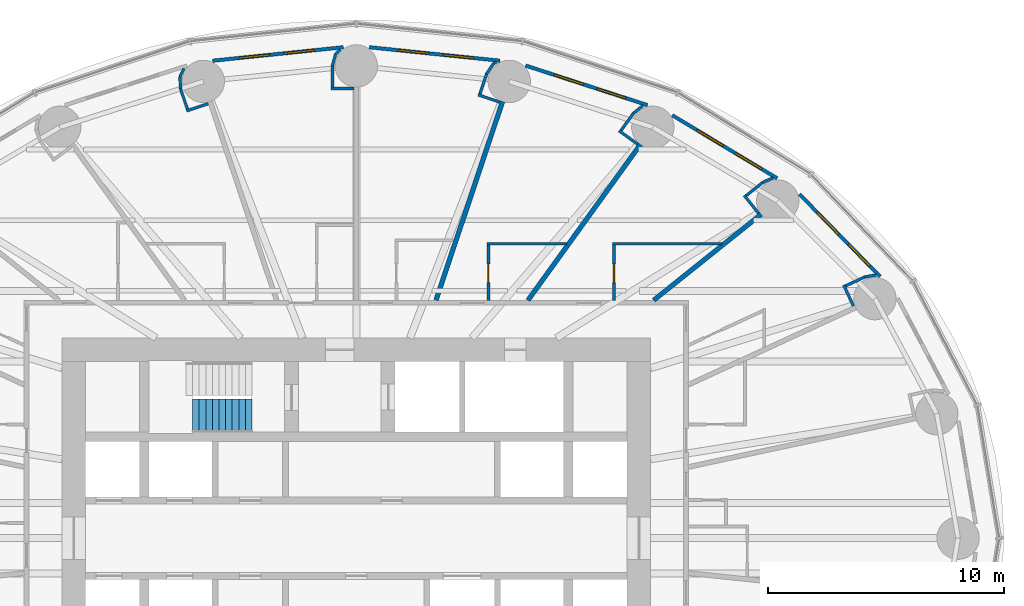
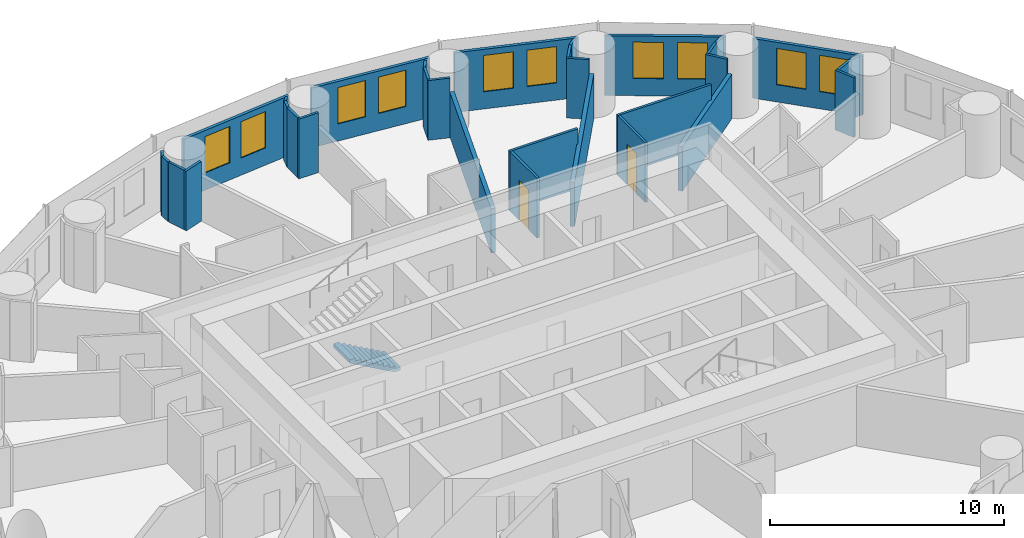
# One storey, part 11 of 13: 33 walls, 10 windows, 2 doors, 1 stair flight, 12 openings, 1 element without a shape of its own.
"""IFC4 building model written with IfcOpenShell, lengths in metres."""

import ifcopenshell
import ifcopenshell.guid

model = None  # the IFC model being written
_history = None  # IfcOwnerHistory: only IFC2X3 demands one
_inside = {}  # id of a spatial element -> (the spatial element, [elements in it])
_under = {}  # id of a project, library or spatial element -> (it, [spatial elements below it])
_declared = {}  # id of a project -> (the project, [libraries it declares])
_typed = {}  # id of a type object -> (the type object, [elements of that type])
_made_of = {}  # id of a material, layer set ... -> (it, [elements and type objects made of it])


def new_model(schema):
    """Start an empty IFC model of exactly this schema.

    Asked for "IFC4X3", IfcOpenShell would pick the latest addendum, in which some entities
    have other attributes; the version numbers below select the first issue.
    IFC2X3 requires an IfcOwnerHistory on every rooted entity: one is made here for all.
    """
    global model, _history
    if schema == "IFC4X3":
        model = ifcopenshell.file(schema_version=(4, 3, 0, 0))
    else:
        model = ifcopenshell.file(schema=schema)
    _inside.clear()
    _under.clear()
    _declared.clear()
    _typed.clear()
    _made_of.clear()
    _history = None
    if model.schema == "IFC2X3":
        org = make("IfcOrganization", Name="unknown")
        user = make(
            "IfcPersonAndOrganization",
            ThePerson=make("IfcPerson", FamilyName="unknown"),
            TheOrganization=org,
        )
        app = make(
            "IfcApplication",
            ApplicationDeveloper=org,
            Version="unknown",
            ApplicationFullName="unknown",
            ApplicationIdentifier="unknown",
        )
        _history = make(
            "IfcOwnerHistory",
            OwningUser=user,
            OwningApplication=app,
            ChangeAction="ADDED",
            CreationDate=0,
        )
    return model


def make(cls, **values):
    """One entity of the class cls with the attributes given. An attribute that is None is left unset."""
    return model.create_entity(
        cls, **{name: value for name, value in values.items() if value is not None}
    )


def rooted(cls, **values):
    """An entity with a GlobalId (a new one), such as an element, a storey or a relation."""
    return make(cls, GlobalId=ifcopenshell.guid.new(), OwnerHistory=_history, **values)


def si_unit(unit_type, name, prefix=None):
    """IfcSIUnit, for example si_unit("LENGTHUNIT", "METRE", prefix="MILLI")."""
    return make("IfcSIUnit", UnitType=unit_type, Prefix=prefix, Name=name)


def assignment(units):
    """IfcUnitAssignment: the units of a project."""
    return None if units is None else make("IfcUnitAssignment", Units=units)


def point(xyz):
    """IfcCartesianPoint."""
    return None if xyz is None else make("IfcCartesianPoint", Coordinates=xyz)


def direction(xyz):
    """IfcDirection."""
    return None if xyz is None else make("IfcDirection", DirectionRatios=xyz)


def frame(location, z_axis=None, x_axis=None):
    """IfcAxis2Placement3D, a coordinate frame: its origin and axes. An axis left out is left unset."""
    return make(
        "IfcAxis2Placement3D",
        Location=point(location),
        Axis=direction(z_axis),
        RefDirection=direction(x_axis),
    )


def frame_2d(location, x_axis=None):
    """IfcAxis2Placement2D, a coordinate frame in the plane: its origin and x axis."""
    return make(
        "IfcAxis2Placement2D", Location=point(location), RefDirection=direction(x_axis)
    )


def origin():
    """The frame at (0, 0, 0) with its axes left unset."""
    return frame((0.0, 0.0, 0.0))


def place(relative_to, where):
    """IfcLocalPlacement: puts the frame where relative to a parent placement (None: the world)."""
    return make(
        "IfcLocalPlacement", PlacementRelTo=relative_to, RelativePlacement=where
    )


def context(
    kind, dimensions, precision=None, world=None, true_north=None, identifier=None
):
    """IfcGeometricRepresentationContext, for example the 3D "Model" context."""
    return make(
        "IfcGeometricRepresentationContext",
        ContextIdentifier=identifier,
        ContextType=kind,
        CoordinateSpaceDimension=dimensions,
        Precision=precision,
        WorldCoordinateSystem=world,
        TrueNorth=true_north,
    )


def subcontext(parent, identifier, kind, view, scale=None):
    """IfcGeometricRepresentationSubContext, for example "Body" below "Model"."""
    return make(
        "IfcGeometricRepresentationSubContext",
        ContextIdentifier=identifier,
        ContextType=kind,
        ParentContext=parent,
        TargetScale=scale,
        TargetView=view,
    )


def project(units=None, contexts=None):
    """IfcProject with its units and contexts."""
    return rooted(
        "IfcProject",
        Name="project",
        RepresentationContexts=contexts,
        UnitsInContext=assignment(units),
    )


def spatial(cls, under=None, at=None, **own):
    """A site, building, storey or space (cls), placed at a placement, below another one or the project."""
    s = rooted(cls, ObjectPlacement=at, **own)
    if under is not None:
        _under.setdefault(under.id(), (under, []))[1].append(s)
    return s


def polyline(points):
    """IfcPolyline through the points."""
    return make("IfcPolyline", Points=[point(p) for p in points])


def profile(cls, at=None, kind="AREA", **sizes):
    """A parametric profile (cls). Its sizes go by their IFC names, for example OverallWidth=200.0."""
    return make(cls, ProfileType=kind, Position=at, **sizes)


def rectangle(**sizes):
    """IfcRectangleProfileDef."""
    return profile("IfcRectangleProfileDef", **sizes)


def outline(outer, holes=None, kind="AREA"):
    """IfcArbitraryClosedProfileDef: a profile drawn as a closed curve; with holes, ...WithVoids."""
    if holes is None:
        return make("IfcArbitraryClosedProfileDef", ProfileType=kind, OuterCurve=outer)
    return make(
        "IfcArbitraryProfileDefWithVoids",
        ProfileType=kind,
        OuterCurve=outer,
        InnerCurves=holes,
    )


def extrude(swept, where, along, depth):
    """IfcExtrudedAreaSolid: the profile swept, set in the frame where, extruded along a direction by depth."""
    return make(
        "IfcExtrudedAreaSolid",
        SweptArea=swept,
        Position=where,
        ExtrudedDirection=direction(along),
        Depth=depth,
    )


def shape(context_of_items, identifier, shape_type, items):
    """IfcShapeRepresentation: the items that make up one representation, for example the "Body"."""
    return make(
        "IfcShapeRepresentation",
        ContextOfItems=context_of_items,
        RepresentationIdentifier=identifier,
        RepresentationType=shape_type,
        Items=items,
    )


def material(Name=None, Category=None):
    """IfcMaterial."""
    return make("IfcMaterial", Name=Name, Category=Category)


def layer(
    of_material, thickness, ventilated=None, Name=None, Category=None, Priority=None
):
    """IfcMaterialLayer: one layer of a wall or slab, of a material (None: an air gap)."""
    return make(
        "IfcMaterialLayer",
        Material=of_material,
        LayerThickness=thickness,
        IsVentilated=ventilated,
        Name=Name,
        Category=Category,
        Priority=Priority,
    )


def layer_set(layers, Name=None):
    """IfcMaterialLayerSet."""
    return make("IfcMaterialLayerSet", MaterialLayers=layers, LayerSetName=Name)


def made_of(thing, what):
    """Note that an element or type object is made of a material, layer set ...; save() writes the relation."""
    if what is not None:
        _made_of.setdefault(what.id(), (what, []))[1].append(thing)
    return thing


def type_object(cls, material=None, **own):
    """A type object (cls), such as IfcWallType, which elements share."""
    return made_of(rooted(cls, **own), material)


def element(
    cls,
    number,
    at=None,
    inside=None,
    cuts=None,
    type_object=None,
    material=None,
    context=None,
    identifier="Body",
    shape_type=None,
    held_by="IfcProductDefinitionShape",
    body=None,
    shapes=None,
    **own,
):
    """One element of the class cls, such as IfcWall. Its Tag is "e" and its number.

    at: its placement. inside: the storey or other place that contains it. cuts: it is an
    opening in that element (IfcRelVoidsElement). A single representation is given by context,
    identifier, shape_type and body (its items); several are given by shapes. held_by: the class
    of the entity that holds the representations. save() writes the other relations.
    """
    e = rooted(cls, Tag="e%d" % number, ObjectPlacement=at, **own)
    if body is not None:
        shapes = [shape(context, identifier, shape_type, body)]
    if shapes is not None:
        e.Representation = make(held_by, Representations=shapes)
    if inside is not None:
        _inside.setdefault(inside.id(), (inside, []))[1].append(e)
    if cuts is not None:
        rooted(
            "IfcRelVoidsElement", RelatingBuildingElement=cuts, RelatedOpeningElement=e
        )
    if type_object is not None:
        _typed.setdefault(type_object.id(), (type_object, []))[1].append(e)
    return made_of(e, material)


def fill(opening, filler):
    """IfcRelFillsElement: the door or window that sits in an opening."""
    return rooted(
        "IfcRelFillsElement",
        RelatingOpeningElement=opening,
        RelatedBuildingElement=filler,
    )


def aggregate(whole, parts):
    """IfcRelAggregates: a whole, such as a stair, and the parts it consists of."""
    return rooted("IfcRelAggregates", RelatingObject=whole, RelatedObjects=parts)


def save(model, path):
    """Write the relations noted so far, then the file.

    IfcRelAggregates (storeys below a building ...), IfcRelContainedInSpatialStructure (elements
    in a storey), IfcRelDefinesByType, IfcRelAssociatesMaterial and IfcRelDeclares: one each for
    every whole, place, type object, material and project.
    """
    for whole, parts in _under.values():
        aggregate(whole, parts)
    for where, things in _inside.values():
        rooted(
            "IfcRelContainedInSpatialStructure",
            RelatedElements=things,
            RelatingStructure=where,
        )
    for kind, things in _typed.values():
        rooted("IfcRelDefinesByType", RelatedObjects=things, RelatingType=kind)
    for what, things in _made_of.values():
        rooted("IfcRelAssociatesMaterial", RelatedObjects=things, RelatingMaterial=what)
    for by, libraries in _declared.values():
        rooted("IfcRelDeclares", RelatingContext=by, RelatedDefinitions=libraries)
    model.write(path)


model = new_model("IFC4")

# Units and contexts
model_context = context("Model", 3, precision=1e-05, world=origin(), true_north=direction((0.0, 1.0)))
body_context = subcontext(model_context, "Body", "Model", "MODEL_VIEW")
ifc_project = project(units=[si_unit("LENGTHUNIT", "METRE"), si_unit("AREAUNIT", "SQUARE_METRE"), si_unit("VOLUMEUNIT", "CUBIC_METRE"), si_unit("PLANEANGLEUNIT", "RADIAN"), si_unit("MASSUNIT", "GRAM", prefix="KILO")], contexts=[model_context])

# Site, building, storey
site_placement = place(None, origin())
site = spatial("IfcSite", under=ifc_project, at=site_placement, CompositionType="ELEMENT")
building_placement = place(site_placement, origin())
building = spatial("IfcBuilding", under=site, at=building_placement, Name="Hankou Lantern Tower", CompositionType="ELEMENT")
storey_placement = place(building_placement, frame((0.0, 0.0, 39.300048828125)))
storey = spatial("IfcBuildingStorey", under=building, at=storey_placement, Name="L08", CompositionType="ELEMENT", Elevation=39.300048828125)

# Wall, openings, windows
ifc_material_1 = material(Name="Aluminium spandrel panel on steel studs", Category="steel")
ifc_layer_1 = layer(ifc_material_1, 0.14990234375)
ifc_layer_set_1 = layer_set([ifc_layer_1], Name="Aluminium spandrel panel on steel studs")
wall_type_1 = type_object("IfcWallType", Name="EW1 INNER SKIN WALL 150", PredefinedType="ELEMENTEDWALL", material=ifc_layer_set_1)
wall_1_placement = place(storey_placement, frame((22.23876953125, 11.1083984375, 0.0), z_axis=(0.0, 0.0, 1.0), x_axis=(-0.699612594083, 0.714522370679, 0.0)))
wall_1 = element("IfcWall", 1, at=wall_1_placement, inside=storey, type_object=wall_type_1, Name="Inner skin R03-R04 L08", PredefinedType="ELEMENTEDWALL", context=body_context, shape_type="SweptSolid", body=[
    extrude(rectangle(XDim=4.89599609375, YDim=0.14990234375, at=frame_2d((2.447998046875, 0.0))), origin(), (0.0, 0.0, 1.0), 3.119873046875),
])
opening_1_placement = place(wall_1_placement, frame((0.619140625, 0.0, 0.89990234375)))
opening_1 = element("IfcOpeningElement", 2, at=opening_1_placement, cuts=wall_1, Name="Opening W9", PredefinedType="OPENING", context=body_context, shape_type="SweptSolid", body=[
    extrude(rectangle(XDim=1.300048828125, YDim=1.89990234375, at=frame_2d((0.64990234375, 0.949951171875))), frame((0.0, 0.0849609375, 0.0), z_axis=(0.0, -1.0, 0.0), x_axis=(1.0, 0.0, 0.0)), (0.0, 0.0, 1.0), 0.169921875),
])
opening_2_placement = place(wall_1_placement, frame((2.51904296875, 0.0, 0.89990234375)))
opening_2 = element("IfcOpeningElement", 3, at=opening_2_placement, cuts=wall_1, Name="Opening W9", PredefinedType="OPENING", context=body_context, shape_type="SweptSolid", body=[
    extrude(rectangle(XDim=1.300048828125, YDim=1.89990234375, at=frame_2d((0.64990234375, 0.949951171875))), frame((0.0, 0.0849609375, 0.0), z_axis=(0.0, -1.0, 0.0), x_axis=(1.0, 0.0, 0.0)), (0.0, 0.0, 1.0), 0.169921875),
])
ifc_material_2 = material(Name="Aluminium framed double glazed window", Category="aluminium")
window_type = type_object("IfcWindowType", Name="W9 GUEST ROOM WINDOW 1300X1900", PartitioningType="DOUBLE_PANEL_VERTICAL", PredefinedType="WINDOW", material=ifc_material_2)
window_1_placement = place(opening_1_placement, origin())
window_1 = element("IfcWindow", 4, at=window_1_placement, inside=storey, type_object=window_type, Name="Window R03.1 L08", OverallHeight=1.89990234375, OverallWidth=1.300048828125, PartitioningType="SINGLE_PANEL", PredefinedType="WINDOW", context=body_context, shape_type="SweptSolid", body=[
    extrude(rectangle(XDim=1.300048828125, YDim=1.89990234375, at=frame_2d((0.64990234375, 0.949951171875))), frame((0.0, 0.030029296875, 0.0), z_axis=(0.0, -1.0, 0.0), x_axis=(1.0, 0.0, 0.0)), (0.0, 0.0, 1.0), 0.06005859375),
])
fill(opening_1, window_1)
window_2_placement = place(opening_2_placement, origin())
window_2 = element("IfcWindow", 5, at=window_2_placement, inside=storey, type_object=window_type, Name="Window R03.2 L08", OverallHeight=1.89990234375, OverallWidth=1.300048828125, PartitioningType="SINGLE_PANEL", PredefinedType="WINDOW", context=body_context, shape_type="SweptSolid", body=[
    extrude(rectangle(XDim=1.300048828125, YDim=1.89990234375, at=frame_2d((0.64990234375, 0.949951171875))), frame((0.0, 0.030029296875, 0.0), z_axis=(0.0, -1.0, 0.0), x_axis=(1.0, 0.0, 0.0)), (0.0, 0.0, 1.0), 0.06005859375),
])
fill(opening_2, window_2)

wall_2_placement = place(storey_placement, frame((17.869384765625, 15.276611328125, 0.0), z_axis=(0.0, 0.0, 1.0), x_axis=(-0.856958191554, 0.515385931054, 0.0)))
wall_2 = element("IfcWall", 6, at=wall_2_placement, inside=storey, type_object=wall_type_1, Name="Inner skin R04-R05 L08", PredefinedType="ELEMENTEDWALL", context=body_context, shape_type="SweptSolid", body=[
    extrude(rectangle(XDim=5.201171875, YDim=0.14990234375, at=frame_2d((2.6005859375, 0.0))), origin(), (0.0, 0.0, 1.0), 3.119873046875),
])
opening_3_placement = place(wall_2_placement, frame((0.7763671875, 0.0, 0.89990234375)))
opening_3 = element("IfcOpeningElement", 7, at=opening_3_placement, cuts=wall_2, Name="Opening W9", PredefinedType="OPENING", context=body_context, shape_type="SweptSolid", body=[
    extrude(rectangle(XDim=1.300048828125, YDim=1.89990234375, at=frame_2d((0.64990234375, 0.949951171875))), frame((0.0, 0.0849609375, 0.0), z_axis=(0.0, -1.0, 0.0), x_axis=(1.0, 0.0, 0.0)), (0.0, 0.0, 1.0), 0.169921875),
])
opening_4_placement = place(wall_2_placement, frame((2.67626953125, 0.0, 0.89990234375)))
opening_4 = element("IfcOpeningElement", 8, at=opening_4_placement, cuts=wall_2, Name="Opening W9", PredefinedType="OPENING", context=body_context, shape_type="SweptSolid", body=[
    extrude(rectangle(XDim=1.300048828125, YDim=1.89990234375, at=frame_2d((0.64990234375, 0.949951171875))), frame((0.0, 0.0849609375, 0.0), z_axis=(0.0, -1.0, 0.0), x_axis=(1.0, 0.0, 0.0)), (0.0, 0.0, 1.0), 0.169921875),
])
window_3_placement = place(opening_3_placement, origin())
window_3 = element("IfcWindow", 9, at=window_3_placement, inside=storey, type_object=window_type, Name="Window R04.1 L08", OverallHeight=1.89990234375, OverallWidth=1.300048828125, PartitioningType="SINGLE_PANEL", PredefinedType="WINDOW", context=body_context, shape_type="SweptSolid", body=[
    extrude(rectangle(XDim=1.300048828125, YDim=1.89990234375, at=frame_2d((0.64990234375, 0.949951171875))), frame((0.0, 0.030029296875, 0.0), z_axis=(0.0, -1.0, 0.0), x_axis=(1.0, 0.0, 0.0)), (0.0, 0.0, 1.0), 0.06005859375),
])
fill(opening_3, window_3)
window_4_placement = place(opening_4_placement, origin())
window_4 = element("IfcWindow", 10, at=window_4_placement, inside=storey, type_object=window_type, Name="Window R04.2 L08", OverallHeight=1.89990234375, OverallWidth=1.300048828125, PartitioningType="SINGLE_PANEL", PredefinedType="WINDOW", context=body_context, shape_type="SweptSolid", body=[
    extrude(rectangle(XDim=1.300048828125, YDim=1.89990234375, at=frame_2d((0.64990234375, 0.949951171875))), frame((0.0, 0.030029296875, 0.0), z_axis=(0.0, -1.0, 0.0), x_axis=(1.0, 0.0, 0.0)), (0.0, 0.0, 1.0), 0.06005859375),
])
fill(opening_4, window_4)

wall_3_placement = place(storey_placement, frame((12.3662109375, 18.384033203125, 0.0), z_axis=(0.0, 0.0, 1.0), x_axis=(-0.951138486029, 0.308764603532, 0.0)))
wall_3 = element("IfcWall", 11, at=wall_3_placement, inside=storey, type_object=wall_type_1, Name="Inner skin R05-R06 L08", PredefinedType="ELEMENTEDWALL", context=body_context, shape_type="SweptSolid", body=[
    extrude(rectangle(XDim=5.444091796875, YDim=0.14990234375, at=frame_2d((2.72216796875, 0.0))), origin(), (0.0, 0.0, 1.0), 3.119873046875),
])
opening_5_placement = place(wall_3_placement, frame((0.959716796875, 0.0, 0.89990234375)))
opening_5 = element("IfcOpeningElement", 12, at=opening_5_placement, cuts=wall_3, Name="Opening W9", PredefinedType="OPENING", context=body_context, shape_type="SweptSolid", body=[
    extrude(rectangle(XDim=1.300048828125, YDim=1.89990234375, at=frame_2d((0.64990234375, 0.949951171875))), frame((0.0, 0.0849609375, 0.0), z_axis=(0.0, -1.0, 0.0), x_axis=(1.0, 0.0, 0.0)), (0.0, 0.0, 1.0), 0.169921875),
])
opening_6_placement = place(wall_3_placement, frame((2.85986328125, 0.0, 0.89990234375)))
opening_6 = element("IfcOpeningElement", 13, at=opening_6_placement, cuts=wall_3, Name="Opening W9", PredefinedType="OPENING", context=body_context, shape_type="SweptSolid", body=[
    extrude(rectangle(XDim=1.300048828125, YDim=1.89990234375, at=frame_2d((0.64990234375, 0.949951171875))), frame((0.0, 0.0849609375, 0.0), z_axis=(0.0, -1.0, 0.0), x_axis=(1.0, 0.0, 0.0)), (0.0, 0.0, 1.0), 0.169921875),
])
window_5_placement = place(opening_5_placement, origin())
window_5 = element("IfcWindow", 14, at=window_5_placement, inside=storey, type_object=window_type, Name="Window R05.1 L08", OverallHeight=1.89990234375, OverallWidth=1.300048828125, PartitioningType="SINGLE_PANEL", PredefinedType="WINDOW", context=body_context, shape_type="SweptSolid", body=[
    extrude(rectangle(XDim=1.300048828125, YDim=1.89990234375, at=frame_2d((0.64990234375, 0.949951171875))), frame((0.0, 0.030029296875, 0.0), z_axis=(0.0, -1.0, 0.0), x_axis=(1.0, 0.0, 0.0)), (0.0, 0.0, 1.0), 0.06005859375),
])
fill(opening_5, window_5)
window_6_placement = place(opening_6_placement, origin())
window_6 = element("IfcWindow", 15, at=window_6_placement, inside=storey, type_object=window_type, Name="Window R05.2 L08", OverallHeight=1.89990234375, OverallWidth=1.300048828125, PartitioningType="SINGLE_PANEL", PredefinedType="WINDOW", context=body_context, shape_type="SweptSolid", body=[
    extrude(rectangle(XDim=1.300048828125, YDim=1.89990234375, at=frame_2d((0.64990234375, 0.949951171875))), frame((0.0, 0.030029296875, 0.0), z_axis=(0.0, -1.0, 0.0), x_axis=(1.0, 0.0, 0.0)), (0.0, 0.0, 1.0), 0.06005859375),
])
fill(opening_6, window_6)

wall_4_placement = place(storey_placement, frame((6.09765625, 20.27099609375, 0.0), z_axis=(0.0, 0.0, 1.0), x_axis=(-0.994723735084, 0.102589915983, 0.0)))
wall_4 = element("IfcWall", 16, at=wall_4_placement, inside=storey, type_object=wall_type_1, Name="Inner skin R06-R07 L08", PredefinedType="ELEMENTEDWALL", context=body_context, shape_type="SweptSolid", body=[
    extrude(rectangle(XDim=5.575927734375, YDim=0.14990234375, at=frame_2d((2.7880859375, 0.0))), origin(), (0.0, 0.0, 1.0), 3.119873046875),
])
opening_7_placement = place(wall_4_placement, frame((1.128662109375, 0.0, 0.89990234375)))
opening_7 = element("IfcOpeningElement", 17, at=opening_7_placement, cuts=wall_4, Name="Opening W9", PredefinedType="OPENING", context=body_context, shape_type="SweptSolid", body=[
    extrude(rectangle(XDim=1.300048828125, YDim=1.89990234375, at=frame_2d((0.64990234375, 0.949951171875))), frame((0.0, 0.0849609375, 0.0), z_axis=(0.0, -1.0, 0.0), x_axis=(1.0, 0.0, 0.0)), (0.0, 0.0, 1.0), 0.169921875),
])
opening_8_placement = place(wall_4_placement, frame((3.02880859375, 0.0, 0.89990234375)))
opening_8 = element("IfcOpeningElement", 18, at=opening_8_placement, cuts=wall_4, Name="Opening W9", PredefinedType="OPENING", context=body_context, shape_type="SweptSolid", body=[
    extrude(rectangle(XDim=1.300048828125, YDim=1.89990234375, at=frame_2d((0.64990234375, 0.949951171875))), frame((0.0, 0.0849609375, 0.0), z_axis=(0.0, -1.0, 0.0), x_axis=(1.0, 0.0, 0.0)), (0.0, 0.0, 1.0), 0.169921875),
])
window_7_placement = place(opening_7_placement, origin())
window_7 = element("IfcWindow", 19, at=window_7_placement, inside=storey, type_object=window_type, Name="Window R06.1 L08", OverallHeight=1.89990234375, OverallWidth=1.300048828125, PartitioningType="SINGLE_PANEL", PredefinedType="WINDOW", context=body_context, shape_type="SweptSolid", body=[
    extrude(rectangle(XDim=1.300048828125, YDim=1.89990234375, at=frame_2d((0.64990234375, 0.949951171875))), frame((0.0, 0.030029296875, 0.0), z_axis=(0.0, -1.0, 0.0), x_axis=(1.0, 0.0, 0.0)), (0.0, 0.0, 1.0), 0.06005859375),
])
fill(opening_7, window_7)
window_8_placement = place(opening_8_placement, origin())
window_8 = element("IfcWindow", 20, at=window_8_placement, inside=storey, type_object=window_type, Name="Window R06.2 L08", OverallHeight=1.89990234375, OverallWidth=1.300048828125, PartitioningType="SINGLE_PANEL", PredefinedType="WINDOW", context=body_context, shape_type="SweptSolid", body=[
    extrude(rectangle(XDim=1.300048828125, YDim=1.89990234375, at=frame_2d((0.64990234375, 0.949951171875))), frame((0.0, 0.030029296875, 0.0), z_axis=(0.0, -1.0, 0.0), x_axis=(1.0, 0.0, 0.0)), (0.0, 0.0, 1.0), 0.06005859375),
])
fill(opening_8, window_8)

wall_5_placement = place(storey_placement, frame((-0.55126953125, 20.843017578125, 0.0), z_axis=(0.0, 0.0, 1.0), x_axis=(-0.994723735084, -0.102589915983, 0.0)))
wall_5 = element("IfcWall", 21, at=wall_5_placement, inside=storey, type_object=wall_type_1, Name="Inner skin R07-R08 L08", PredefinedType="ELEMENTEDWALL", context=body_context, shape_type="SweptSolid", body=[
    extrude(rectangle(XDim=5.575927734375, YDim=0.14990234375, at=frame_2d((2.7880859375, 0.0))), origin(), (0.0, 0.0, 1.0), 3.119873046875),
])
opening_9_placement = place(wall_5_placement, frame((1.246826171875, 0.0, 0.89990234375)))
opening_9 = element("IfcOpeningElement", 22, at=opening_9_placement, cuts=wall_5, Name="Opening W9", PredefinedType="OPENING", context=body_context, shape_type="SweptSolid", body=[
    extrude(rectangle(XDim=1.300048828125, YDim=1.89990234375, at=frame_2d((0.64990234375, 0.949951171875))), frame((0.0, 0.0849609375, 0.0), z_axis=(0.0, -1.0, 0.0), x_axis=(1.0, 0.0, 0.0)), (0.0, 0.0, 1.0), 0.169921875),
])
opening_10_placement = place(wall_5_placement, frame((3.146728515625, 0.0, 0.89990234375)))
opening_10 = element("IfcOpeningElement", 23, at=opening_10_placement, cuts=wall_5, Name="Opening W9", PredefinedType="OPENING", context=body_context, shape_type="SweptSolid", body=[
    extrude(rectangle(XDim=1.300048828125, YDim=1.89990234375, at=frame_2d((0.64990234375, 0.949951171875))), frame((0.0, 0.0849609375, 0.0), z_axis=(0.0, -1.0, 0.0), x_axis=(1.0, 0.0, 0.0)), (0.0, 0.0, 1.0), 0.169921875),
])
window_9_placement = place(opening_9_placement, origin())
window_9 = element("IfcWindow", 24, at=window_9_placement, inside=storey, type_object=window_type, Name="Window R07.1 L08", OverallHeight=1.89990234375, OverallWidth=1.300048828125, PartitioningType="SINGLE_PANEL", PredefinedType="WINDOW", context=body_context, shape_type="SweptSolid", body=[
    extrude(rectangle(XDim=1.300048828125, YDim=1.89990234375, at=frame_2d((0.64990234375, 0.949951171875))), frame((0.0, 0.030029296875, 0.0), z_axis=(0.0, -1.0, 0.0), x_axis=(1.0, 0.0, 0.0)), (0.0, 0.0, 1.0), 0.06005859375),
])
fill(opening_9, window_9)
window_10_placement = place(opening_10_placement, origin())
window_10 = element("IfcWindow", 25, at=window_10_placement, inside=storey, type_object=window_type, Name="Window R07.2 L08", OverallHeight=1.89990234375, OverallWidth=1.300048828125, PartitioningType="SINGLE_PANEL", PredefinedType="WINDOW", context=body_context, shape_type="SweptSolid", body=[
    extrude(rectangle(XDim=1.300048828125, YDim=1.89990234375, at=frame_2d((0.64990234375, 0.949951171875))), frame((0.0, 0.030029296875, 0.0), z_axis=(0.0, -1.0, 0.0), x_axis=(1.0, 0.0, 0.0)), (0.0, 0.0, 1.0), 0.06005859375),
])
fill(opening_10, window_10)

# Walls
ifc_material_3 = material(Name="Masonry lightweight concrete block", Category="masonry")
ifc_layer_2 = layer(ifc_material_3, 0.199951171875)
ifc_layer_set_2 = layer_set([ifc_layer_2], Name="Masonry lightweight concrete block")
wall_type_2 = type_object("IfcWallType", Name="IW1 GUEST ROOM PARTY WALL 200", PredefinedType="PARTITIONING", material=ifc_layer_set_2)
wall_6_placement = place(storey_placement, frame((12.625, 10.10009765625, 0.0), z_axis=(0.0, 0.0, 1.0), x_axis=(0.780872884676, 0.624689953479, 0.0)))
element("IfcWall", 26, at=wall_6_placement, inside=storey, type_object=wall_type_2, Name="Party wall R04", PredefinedType="PARTITIONING", context=body_context, shape_type="SweptSolid", body=[
    extrude(rectangle(XDim=5.8447265625, YDim=0.199951171875, at=frame_2d((2.92236328125, 0.0))), origin(), (0.0, 0.0, 1.0), 2.320068359375),
])
wall_7_placement = place(storey_placement, frame((7.2890625, 10.10009765625, 0.0), z_axis=(0.0, 0.0, 1.0), x_axis=(0.585216319319, 0.810877216108, 0.0)))
element("IfcWall", 27, at=wall_7_placement, inside=storey, type_object=wall_type_2, Name="Party wall R05", PredefinedType="PARTITIONING", context=body_context, shape_type="SweptSolid", body=[
    extrude(rectangle(XDim=8.15966796875, YDim=0.199951171875, at=frame_2d((4.079833984375, 0.0))), origin(), (0.0, 0.0, 1.0), 2.320068359375),
])
wall_8_placement = place(storey_placement, frame((3.3828125, 10.10009765625, 0.0), z_axis=(0.0, 0.0, 1.0), x_axis=(0.317593727596, 0.948226884344, 0.0)))
element("IfcWall", 28, at=wall_8_placement, inside=storey, type_object=wall_type_2, Name="Party wall R06", PredefinedType="PARTITIONING", context=body_context, shape_type="SweptSolid", body=[
    extrude(rectangle(XDim=8.898681640625, YDim=0.199951171875, at=frame_2d((4.44921875, 0.0))), origin(), (0.0, 0.0, 1.0), 2.320068359375),
])
ifc_material_4 = material(Name="Masonry lightweight concrete block", Category="masonry")
ifc_layer_3 = layer(ifc_material_4, 0.1201171875)
ifc_layer_set_3 = layer_set([ifc_layer_3], Name="Masonry lightweight concrete block")
wall_type_3 = type_object("IfcWallType", Name="IW3 BATHROOM WALL 120", PredefinedType="PARTITIONING", material=ifc_layer_set_3)
wall_9_placement = place(storey_placement, frame((15.52490234375, 12.5, 0.0), z_axis=(0.0, 0.0, 1.0), x_axis=(-1.0, 0.0, 0.0)))
element("IfcWall", 29, at=wall_9_placement, inside=storey, type_object=wall_type_3, Name="Box wall 0804 1", PredefinedType="PARTITIONING", context=body_context, shape_type="SweptSolid", body=[
    extrude(rectangle(XDim=4.639892578125, YDim=0.1201171875, at=frame_2d((2.31982421875, 0.0))), origin(), (0.0, 0.0, 1.0), 3.119873046875),
])

# Wall, opening, door
wall_10_placement = place(storey_placement, frame((10.945068359375, 10.10009765625, 0.0), z_axis=(0.0, 0.0, 1.0), x_axis=(0.0, 1.0, 0.0)))
wall_10 = element("IfcWall", 30, at=wall_10_placement, inside=storey, type_object=wall_type_3, Name="Box wall 0804 1", PredefinedType="PARTITIONING", context=body_context, shape_type="SweptSolid", body=[
    extrude(rectangle(XDim=2.33984375, YDim=0.1201171875, at=frame_2d((1.169921875, 0.0))), origin(), (0.0, 0.0, 1.0), 3.119873046875),
])
opening_11_placement = place(wall_10_placement, frame((0.75, 0.0, 0.0)))
opening_11 = element("IfcOpeningElement", 31, at=opening_11_placement, cuts=wall_10, Name="Opening D3", PredefinedType="OPENING", context=body_context, shape_type="SweptSolid", body=[
    extrude(rectangle(XDim=0.800048828125, YDim=2.10009765625, at=frame_2d((0.39990234375, 1.050048828125))), frame((0.0, 0.070068359375, 0.0), z_axis=(0.0, -1.0, 0.0), x_axis=(1.0, 0.0, 0.0)), (0.0, 0.0, 1.0), 0.14013671875),
])
ifc_material_5 = material(Name="Timber door leaf", Category="wood")
door_type = type_object("IfcDoorType", Name="D3 BATHROOM DOOR 800X2100", OperationType="SINGLE_SWING_LEFT", PredefinedType="DOOR", material=ifc_material_5)
door_1_placement = place(opening_11_placement, origin())
door_1 = element("IfcDoor", 32, at=door_1_placement, inside=storey, type_object=door_type, Name="En-suite bathroom 0804 door", OperationType="SINGLE_SWING_LEFT", OverallHeight=2.10009765625, OverallWidth=0.800048828125, PredefinedType="DOOR", context=body_context, shape_type="SweptSolid", body=[
    extrude(rectangle(XDim=0.800048828125, YDim=2.10009765625, at=frame_2d((0.39990234375, 1.050048828125))), frame((0.0, 0.02490234375, 0.0), z_axis=(0.0, -1.0, 0.0), x_axis=(1.0, 0.0, 0.0)), (0.0, 0.0, 1.0), 0.050048828125),
])
fill(opening_11, door_1)

# Wall
wall_11_placement = place(storey_placement, frame((8.921142578125, 12.5, 0.0), z_axis=(0.0, 0.0, 1.0), x_axis=(-1.0, 0.0, 0.0)))
element("IfcWall", 33, at=wall_11_placement, inside=storey, type_object=wall_type_3, Name="Box wall 0805 1", PredefinedType="PARTITIONING", context=body_context, shape_type="SweptSolid", body=[
    extrude(rectangle(XDim=3.3720703125, YDim=0.1201171875, at=frame_2d((1.68603515625, 0.0))), origin(), (0.0, 0.0, 1.0), 3.119873046875),
])

# Wall, opening, door
wall_12_placement = place(storey_placement, frame((5.609130859375, 10.10009765625, 0.0), z_axis=(0.0, 0.0, 1.0), x_axis=(0.0, 1.0, 0.0)))
wall_12 = element("IfcWall", 34, at=wall_12_placement, inside=storey, type_object=wall_type_3, Name="Box wall 0805 1", PredefinedType="PARTITIONING", context=body_context, shape_type="SweptSolid", body=[
    extrude(rectangle(XDim=2.33984375, YDim=0.1201171875, at=frame_2d((1.169921875, 0.0))), origin(), (0.0, 0.0, 1.0), 3.119873046875),
])
opening_12_placement = place(wall_12_placement, frame((0.75, 0.0, 0.0)))
opening_12 = element("IfcOpeningElement", 35, at=opening_12_placement, cuts=wall_12, Name="Opening D3", PredefinedType="OPENING", context=body_context, shape_type="SweptSolid", body=[
    extrude(rectangle(XDim=0.800048828125, YDim=2.10009765625, at=frame_2d((0.39990234375, 1.050048828125))), frame((0.0, 0.070068359375, 0.0), z_axis=(0.0, -1.0, 0.0), x_axis=(1.0, 0.0, 0.0)), (0.0, 0.0, 1.0), 0.14013671875),
])
door_2_placement = place(opening_12_placement, origin())
door_2 = element("IfcDoor", 36, at=door_2_placement, inside=storey, type_object=door_type, Name="En-suite bathroom 0805 door", OperationType="SINGLE_SWING_LEFT", OverallHeight=2.10009765625, OverallWidth=0.800048828125, PredefinedType="DOOR", context=body_context, shape_type="SweptSolid", body=[
    extrude(rectangle(XDim=0.800048828125, YDim=2.10009765625, at=frame_2d((0.39990234375, 1.050048828125))), frame((0.0, 0.02490234375, 0.0), z_axis=(0.0, -1.0, 0.0), x_axis=(1.0, 0.0, 0.0)), (0.0, 0.0, 1.0), 0.050048828125),
])
fill(opening_12, door_2)

# Walls
ifc_material_6 = material(Name="Masonry lightweight concrete block", Category="masonry")
ifc_layer_4 = layer(ifc_material_6, 0.1201171875)
ifc_layer_set_4 = layer_set([ifc_layer_4], Name="Masonry lightweight concrete block")
wall_type_4 = type_object("IfcWallType", Name="IW4 PARTITION 120", PredefinedType="PARTITIONING", material=ifc_layer_set_4)
wall_13_placement = place(storey_placement, frame((21.105712890625, 9.8583984375, 0.0), z_axis=(0.0, 0.0, 1.0), x_axis=(-0.419344098106, 0.907827366509, 0.0)))
element("IfcWall", 37, at=wall_13_placement, inside=storey, type_object=wall_type_4, Name="Column casing R03 return", PredefinedType="PARTITIONING", context=body_context, shape_type="SweptSolid", body=[
    extrude(rectangle(XDim=0.974609375, YDim=0.1201171875, at=frame_2d((0.4873046875, 0.0))), origin(), (0.0, 0.0, 1.0), 3.119873046875),
])
wall_14_placement = place(storey_placement, frame((20.776611328125, 10.7138671875, 0.0), z_axis=(0.0, 0.0, 1.0), x_axis=(0.907832324198, 0.419333365166, 0.0)))
element("IfcWall", 38, at=wall_14_placement, inside=storey, type_object=wall_type_4, Name="Column casing R03", PredefinedType="PARTITIONING", context=body_context, shape_type="SweptSolid", body=[
    extrude(rectangle(XDim=0.900146484375, YDim=0.1201171875, at=frame_2d((0.4501953125, 0.0))), origin(), (0.0, 0.0, 1.0), 3.119873046875),
])
wall_15_placement = place(storey_placement, frame((21.59375, 11.09130859375, 0.0), z_axis=(0.0, 0.0, 1.0), x_axis=(0.985483306792, 0.169772353566, 0.0)))
element("IfcWall", 39, at=wall_15_placement, inside=storey, type_object=wall_type_4, Name="Column casing R03", PredefinedType="PARTITIONING", context=body_context, shape_type="SweptSolid", body=[
    extrude(rectangle(XDim=0.486083984375, YDim=0.1201171875, at=frame_2d((0.2431640625, 0.0))), origin(), (0.0, 0.0, 1.0), 3.119873046875),
])
wall_16_placement = place(storey_placement, frame((17.07958984375, 13.791748046875, 0.0), z_axis=(0.0, 0.0, 1.0), x_axis=(-0.624756144097, 0.780819928289, 0.0)))
element("IfcWall", 40, at=wall_16_placement, inside=storey, type_object=wall_type_4, Name="Column casing R04 return", PredefinedType="PARTITIONING", context=body_context, shape_type="SweptSolid", body=[
    extrude(rectangle(XDim=0.974609375, YDim=0.1201171875, at=frame_2d((0.4873046875, 0.0))), origin(), (0.0, 0.0, 1.0), 3.119873046875),
])
wall_17_placement = place(storey_placement, frame((16.55517578125, 14.54345703125, 0.0), z_axis=(0.0, 0.0, 1.0), x_axis=(0.780789399477, 0.62479429708, 0.0)))
element("IfcWall", 41, at=wall_17_placement, inside=storey, type_object=wall_type_4, Name="Column casing R04", PredefinedType="PARTITIONING", context=body_context, shape_type="SweptSolid", body=[
    extrude(rectangle(XDim=0.89990234375, YDim=0.1201171875, at=frame_2d((0.449951171875, 0.0))), origin(), (0.0, 0.0, 1.0), 3.119873046875),
])
wall_18_placement = place(storey_placement, frame((17.2578125, 15.105712890625, 0.0), z_axis=(0.0, 0.0, 1.0), x_axis=(0.916098562583, 0.400953143937, 0.0)))
element("IfcWall", 42, at=wall_18_placement, inside=storey, type_object=wall_type_4, Name="Column casing R04", PredefinedType="PARTITIONING", context=body_context, shape_type="SweptSolid", body=[
    extrude(rectangle(XDim=0.476806640625, YDim=0.1201171875, at=frame_2d((0.23828125, 0.0))), origin(), (0.0, 0.0, 1.0), 3.119873046875),
])
wall_19_placement = place(storey_placement, frame((11.947998046875, 16.7265625, 0.0), z_axis=(0.0, 0.0, 1.0), x_axis=(-0.810897160646, 0.585188683123, 0.0)))
element("IfcWall", 43, at=wall_19_placement, inside=storey, type_object=wall_type_4, Name="Column casing R05 return", PredefinedType="PARTITIONING", context=body_context, shape_type="SweptSolid", body=[
    extrude(rectangle(XDim=0.974609375, YDim=0.1201171875, at=frame_2d((0.4873046875, 0.0))), origin(), (0.0, 0.0, 1.0), 3.119873046875),
])
wall_20_placement = place(storey_placement, frame((11.241455078125, 17.310302734375, 0.0), z_axis=(0.0, 0.0, 1.0), x_axis=(0.585054732094, 0.810993810367, 0.0)))
element("IfcWall", 44, at=wall_20_placement, inside=storey, type_object=wall_type_4, Name="Column casing R05", PredefinedType="PARTITIONING", context=body_context, shape_type="SweptSolid", body=[
    extrude(rectangle(XDim=0.900146484375, YDim=0.1201171875, at=frame_2d((0.4501953125, 0.0))), origin(), (0.0, 0.0, 1.0), 3.119873046875),
])
wall_21_placement = place(storey_placement, frame((11.76806640625, 18.040283203125, 0.0), z_axis=(0.0, 0.0, 1.0), x_axis=(0.775268927517, 0.631631292787, 0.0)))
element("IfcWall", 45, at=wall_21_placement, inside=storey, type_object=wall_type_4, Name="Column casing R05", PredefinedType="PARTITIONING", context=body_context, shape_type="SweptSolid", body=[
    extrude(rectangle(XDim=0.521728515625, YDim=0.1201171875, at=frame_2d((0.2607421875, 0.0))), origin(), (0.0, 0.0, 1.0), 3.119873046875),
])
wall_22_placement = place(storey_placement, frame((6.09521484375, 18.512939453125, 0.0), z_axis=(0.0, 0.0, 1.0), x_axis=(-0.948281677008, 0.317430088446, 0.0)))
element("IfcWall", 46, at=wall_22_placement, inside=storey, type_object=wall_type_4, Name="Column casing R06 return", PredefinedType="PARTITIONING", context=body_context, shape_type="SweptSolid", body=[
    extrude(rectangle(XDim=0.974365234375, YDim=0.1201171875, at=frame_2d((0.4873046875, 0.0))), origin(), (0.0, 0.0, 1.0), 3.119873046875),
])
wall_23_placement = place(storey_placement, frame((5.2470703125, 18.860107421875, 0.0), z_axis=(0.0, 0.0, 1.0), x_axis=(0.317610704489, 0.94822119803, 0.0)))
element("IfcWall", 47, at=wall_23_placement, inside=storey, type_object=wall_type_4, Name="Column casing R06", PredefinedType="PARTITIONING", context=body_context, shape_type="SweptSolid", body=[
    extrude(rectangle(XDim=0.900146484375, YDim=0.1201171875, at=frame_2d((0.4501953125, 0.0))), origin(), (0.0, 0.0, 1.0), 3.119873046875),
])
wall_24_placement = place(storey_placement, frame((5.532958984375, 19.713623046875, 0.0), z_axis=(0.0, 0.0, 1.0), x_axis=(0.552014331743, 0.833834622422, 0.0)))
element("IfcWall", 48, at=wall_24_placement, inside=storey, type_object=wall_type_4, Name="Column casing R06", PredefinedType="PARTITIONING", context=body_context, shape_type="SweptSolid", body=[
    extrude(rectangle(XDim=0.52490234375, YDim=0.1201171875, at=frame_2d((0.262451171875, 0.0))), origin(), (0.0, 0.0, 1.0), 3.119873046875),
])
wall_25_placement = place(storey_placement, frame((5.82275390625, 20.1513671875, 0.0), z_axis=(0.0, 0.0, 1.0), x_axis=(0.894784104941, 0.446499054362, 0.0)))
element("IfcWall", 49, at=wall_25_placement, inside=storey, type_object=wall_type_4, Name="Column casing R06", PredefinedType="PARTITIONING", context=body_context, shape_type="SweptSolid", body=[
    extrude(rectangle(XDim=0.13671875, YDim=0.1201171875, at=frame_2d((0.068359375, 0.0))), origin(), (0.0, 0.0, 1.0), 3.119873046875),
])
wall_26_placement = place(storey_placement, frame((-0.10009765625, 19.090087890625, 0.0), z_axis=(0.0, 0.0, 1.0), x_axis=(-1.0, 0.0, 0.0)))
element("IfcWall", 50, at=wall_26_placement, inside=storey, type_object=wall_type_4, Name="Column casing R07 return", PredefinedType="PARTITIONING", context=body_context, shape_type="SweptSolid", body=[
    extrude(rectangle(XDim=0.974365234375, YDim=0.1201171875, at=frame_2d((0.4873046875, 0.0))), origin(), (0.0, 0.0, 1.0), 3.119873046875),
])
wall_27_placement = place(storey_placement, frame((-1.0146484375, 19.14990234375, 0.0), z_axis=(0.0, 0.0, 1.0), x_axis=(0.0, 1.0, 0.0)))
element("IfcWall", 51, at=wall_27_placement, inside=storey, type_object=wall_type_4, Name="Column casing R07", PredefinedType="PARTITIONING", context=body_context, shape_type="SweptSolid", body=[
    extrude(rectangle(XDim=0.900146484375, YDim=0.1201171875, at=frame_2d((0.4501953125, 0.0))), origin(), (0.0, 0.0, 1.0), 3.119873046875),
])
wall_28_placement = place(storey_placement, frame((-1.0146484375, 20.050048828125, 0.0), z_axis=(0.0, 0.0, 1.0), x_axis=(0.258906465625, 0.96590239779, 0.0)))
element("IfcWall", 52, at=wall_28_placement, inside=storey, type_object=wall_type_4, Name="Column casing R07", PredefinedType="PARTITIONING", context=body_context, shape_type="SweptSolid", body=[
    extrude(rectangle(XDim=0.525146484375, YDim=0.1201171875, at=frame_2d((0.2626953125, 0.0))), origin(), (0.0, 0.0, 1.0), 3.119873046875),
])
wall_29_placement = place(storey_placement, frame((-0.878662109375, 20.557373046875, 0.0), z_axis=(0.0, 0.0, 1.0), x_axis=(0.707106781187, 0.707106781187, 0.0)))
element("IfcWall", 53, at=wall_29_placement, inside=storey, type_object=wall_type_4, Name="Column casing R07", PredefinedType="PARTITIONING", context=body_context, shape_type="SweptSolid", body=[
    extrude(rectangle(XDim=0.279052734375, YDim=0.1201171875, at=frame_2d((0.1396484375, 0.0))), origin(), (0.0, 0.0, 1.0), 3.119873046875),
])
wall_30_placement = place(storey_placement, frame((-6.284912109375, 18.44921875, 0.0), z_axis=(0.0, 0.0, 1.0), x_axis=(-0.948281677008, -0.317430088446, 0.0)))
element("IfcWall", 54, at=wall_30_placement, inside=storey, type_object=wall_type_4, Name="Column casing R08 return", PredefinedType="PARTITIONING", context=body_context, shape_type="SweptSolid", body=[
    extrude(rectangle(XDim=0.974365234375, YDim=0.1201171875, at=frame_2d((0.4873046875, 0.0))), origin(), (0.0, 0.0, 1.0), 3.119873046875),
])
wall_31_placement = place(storey_placement, frame((-7.171142578125, 18.2158203125, 0.0), z_axis=(0.0, 0.0, 1.0), x_axis=(-0.317692409458, 0.94819382669, 0.0)))
element("IfcWall", 55, at=wall_31_placement, inside=storey, type_object=wall_type_4, Name="Column casing R08", PredefinedType="PARTITIONING", context=body_context, shape_type="SweptSolid", body=[
    extrude(rectangle(XDim=0.89990234375, YDim=0.1201171875, at=frame_2d((0.449951171875, 0.0))), origin(), (0.0, 0.0, 1.0), 3.119873046875),
])
wall_32_placement = place(storey_placement, frame((-7.45703125, 19.069091796875, 0.0), z_axis=(0.0, 0.0, 1.0), x_axis=(-0.061365267648, 0.99811537606, 0.0)))
element("IfcWall", 56, at=wall_32_placement, inside=storey, type_object=wall_type_4, Name="Column casing R08", PredefinedType="PARTITIONING", context=body_context, shape_type="SweptSolid", body=[
    extrude(rectangle(XDim=0.525146484375, YDim=0.1201171875, at=frame_2d((0.2626953125, 0.0))), origin(), (0.0, 0.0, 1.0), 3.119873046875),
])
wall_33_placement = place(storey_placement, frame((-7.4892578125, 19.59326171875, 0.0), z_axis=(0.0, 0.0, 1.0), x_axis=(0.446218959337, 0.89492381817, 0.0)))
element("IfcWall", 57, at=wall_33_placement, inside=storey, type_object=wall_type_4, Name="Column casing R08", PredefinedType="PARTITIONING", context=body_context, shape_type="SweptSolid", body=[
    extrude(rectangle(XDim=0.392822265625, YDim=0.1201171875, at=frame_2d((0.1962890625, 0.0))), origin(), (0.0, 0.0, 1.0), 3.119873046875),
])

# Stair, stair flight
ifc_material_7 = material(Name="Concrete C40", Category="concrete")
stair_type = type_object("IfcStairType", Name="ST33 CORE STAIR 3300 RISE", PredefinedType="HALF_TURN_STAIR", material=ifc_material_7)
stair_placement = place(storey_placement, origin())
stair = element("IfcStair", 58, at=stair_placement, inside=storey, type_object=stair_type, Name="Stair STA L08", PredefinedType="HALF_TURN_STAIR")
ifc_material_8 = material(Name="Concrete C40", Category="concrete")
stair_flight_type = type_object("IfcStairFlightType", Name="CF10 CORE STAIR FLIGHT 1400 X 10 RISERS", PredefinedType="STRAIGHT", material=ifc_material_8)
stair_flight_placement = place(storey_placement, frame((-4.429931640625, 5.199951171875, 0.0), z_axis=(0.0, 0.0, 1.0), x_axis=(-1.0, 0.0, 0.0)))
stair_flight = element("IfcStairFlight", 59, at=stair_flight_placement, type_object=stair_flight_type, Name="STA flight 1", NumberOfRisers=10, NumberOfTreads=9, PredefinedType="STRAIGHT", RiserHeight=0.157142857, TreadLength=0.28, context=body_context, shape_type="SweptSolid", body=[
    extrude(outline(polyline([(0.0, 0.0), (0.0, 0.1572265625), (0.280029296875, 0.1572265625), (0.280029296875, 0.314208984375), (0.56005859375, 0.314208984375), (0.56005859375, 0.471435546875), (0.840087890625, 0.471435546875), (0.840087890625, 0.628662109375), (1.1201171875, 0.628662109375), (1.1201171875, 0.78564453125), (1.39990234375, 0.78564453125), (1.39990234375, 0.94287109375), (1.679931640625, 0.94287109375), (1.679931640625, 1.10009765625), (1.9599609375, 1.10009765625), (1.9599609375, 1.257080078125), (2.239990234375, 1.257080078125), (2.239990234375, 1.414306640625), (2.52001953125, 1.414306640625), (2.52001953125, 1.571533203125), (2.52001953125, 1.242431640625), (0.306396484375, 0.0), (0.0, 0.0)])), frame((0.0, 0.699951171875, 0.0), z_axis=(0.0, -1.0, 0.0), x_axis=(1.0, 0.0, 0.0)), (0.0, 0.0, 1.0), 1.39990234375),
])
aggregate(stair, [stair_flight])

save(model, "model.ifc")
